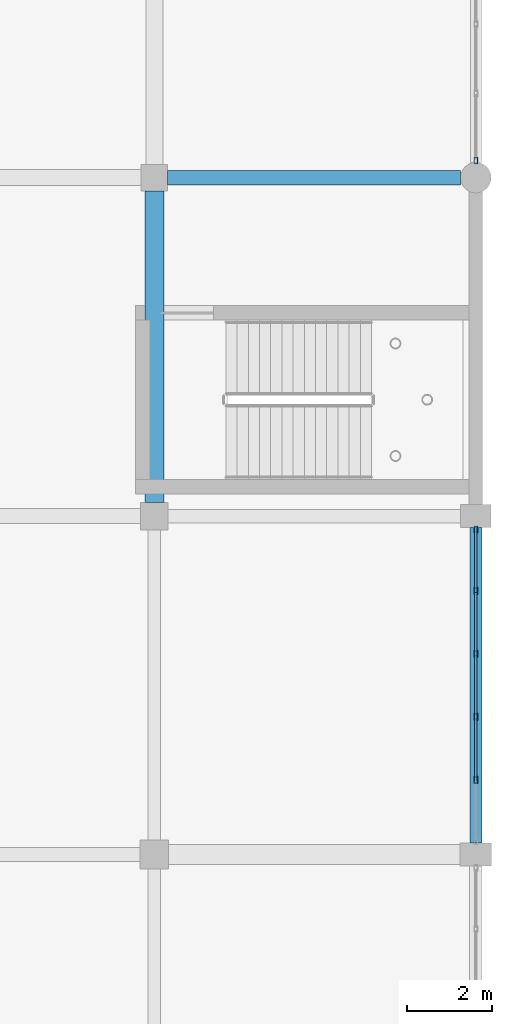
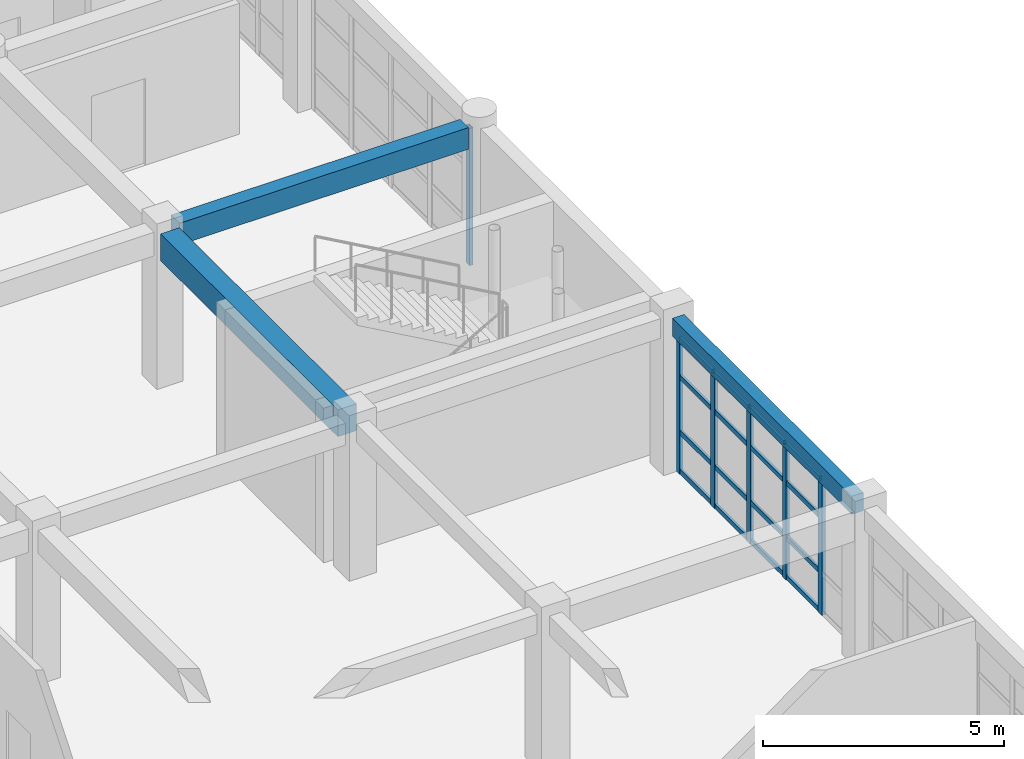
# One storey, part 131 of 195: 22 members, 3 beams, 2 elements without a shape of their own.
"""IFC4 building model written with IfcOpenShell, lengths in metres."""

from ifc_helpers import new_model, si_unit, direction, frame, origin, origin_2d, place, context, subcontext, project, spatial, rectangle, hollow_rectangle, extrude, material, material_profile, profile_set, type_object, element, aggregate, save


model = new_model("IFC4")

# Units and contexts
model_context = context("Model", 3, precision=1e-05, world=origin(), true_north=direction((0.0, 1.0)))
body_context = subcontext(model_context, "Body", "Model", "MODEL_VIEW")
ifc_project = project(units=[si_unit("LENGTHUNIT", "METRE"), si_unit("AREAUNIT", "SQUARE_METRE"), si_unit("VOLUMEUNIT", "CUBIC_METRE"), si_unit("PLANEANGLEUNIT", "RADIAN"), si_unit("MASSUNIT", "GRAM", prefix="KILO")], contexts=[model_context])

# Site, building, storey
site_placement = place(None, origin())
site = spatial("IfcSite", under=ifc_project, at=site_placement, CompositionType="ELEMENT")
building_placement = place(site_placement, origin())
building = spatial("IfcBuilding", under=site, at=building_placement, Name="Kharva Crest Polytechnic", CompositionType="ELEMENT")
storey_placement = place(building_placement, frame((0.0, 0.0, 9.0)))
storey = spatial("IfcBuildingStorey", under=building, at=storey_placement, Name="L02", CompositionType="ELEMENT", Elevation=9.0)

# Beams
ifc_material_1 = material(Name="Concrete C35/45", Category="concrete")
ifc_material_profile_1 = material_profile(ifc_material_1, rectangle(XDim=0.35009765625, YDim=0.550048828125, at=origin_2d()), Name="RECT 350 X 550")
ifc_profile_set_1 = profile_set([ifc_material_profile_1], Name="Concrete C35/45")
beam_type_1 = type_object("IfcBeamType", Name="BM-RC-350X550", PredefinedType="BEAM", material=ifc_profile_set_1)
beam_1_placement = place(storey_placement, frame((176.7099609375, 78.800048828125, 3.64501953125), z_axis=(1.0, 0.0, 0.0), x_axis=(0.0, 1.0, 0.0)))
element("IfcBeam", 1, at=beam_1_placement, inside=storey, type_object=beam_type_1, Name="L02 Beam L/23-24", PredefinedType="BEAM", context=body_context, shape_type="SweptSolid", body=[
    extrude(rectangle(XDim=0.35009765625, YDim=0.550048828125, at=origin_2d()), origin(), (0.0, 0.0, 1.0), 6.929931640625),
])
ifc_material_profile_2 = material_profile(ifc_material_1, rectangle(XDim=0.449951171875, YDim=0.679931640625, at=origin_2d()), Name="RECT 450 X 680")
ifc_profile_set_2 = profile_set([ifc_material_profile_2], Name="Concrete C35/45")
beam_type_2 = type_object("IfcBeamType", Name="BM-RC-450X680", PredefinedType="BEAM", material=ifc_profile_set_2)
beam_2_placement = place(storey_placement, frame((176.39990234375, 71.125, 3.580078125), z_axis=(0.0, 1.0, 0.0), x_axis=(-1.0, 0.0, 0.0)))
element("IfcBeam", 2, at=beam_2_placement, inside=storey, type_object=beam_type_2, Name="L02 Girder 23/K-L", PredefinedType="BEAM", context=body_context, shape_type="SweptSolid", body=[
    extrude(rectangle(XDim=0.449951171875, YDim=0.679931640625, at=origin_2d()), origin(), (0.0, 0.0, 1.0), 7.364990234375),
])

# Curtain wall, members
ifc_material_2 = material(Name="Tempered insulated glass", Category="glass")
curtain_wall_type = type_object("IfcCurtainWallType", Name="CW-SYS-COURT", PredefinedType="USERDEFINED", material=ifc_material_2)
curtain_wall_1_placement = place(storey_placement, origin())
curtain_wall_1 = element("IfcCurtainWall", 3, at=curtain_wall_1_placement, inside=storey, type_object=curtain_wall_type, Name="L02 Glazed Curtain Wall CW-106", ObjectType="CURTAIN WALL", PredefinedType="USERDEFINED")
ifc_material_3 = material(Name="Steel S355", Category="steel")
ifc_material_profile_3 = material_profile(ifc_material_3, hollow_rectangle(XDim=0.080078125, YDim=0.159912109375, WallThickness=0.0048828125, at=origin_2d()), Name="RHS 160X80X5.0")
ifc_profile_set_3 = profile_set([ifc_material_profile_3], Name="Steel S355")
member_type_1 = type_object("IfcMemberType", Name="CWM-RHS160X80", PredefinedType="MULLION", material=ifc_profile_set_3)
member_1_placement = place(storey_placement, frame((184.0, 64.568115234375, 0.0), z_axis=(0.0, 0.0, 1.0), x_axis=(-1.0, 0.0, 0.0)))
member_1 = element("IfcMember", 4, at=member_1_placement, type_object=member_type_1, Name="CW-106 mullion 2", PredefinedType="MULLION", context=body_context, shape_type="SweptSolid", body=[
    extrude(hollow_rectangle(XDim=0.080078125, YDim=0.159912109375, WallThickness=0.0048828125, at=origin_2d()), origin(), (0.0, 0.0, 1.0), 3.4599609375),
])
member_2_placement = place(storey_placement, frame((184.0, 66.055908203125, 0.0), z_axis=(0.0, 0.0, 1.0), x_axis=(-1.0, 0.0, 0.0)))
member_2 = element("IfcMember", 5, at=member_2_placement, type_object=member_type_1, Name="CW-106 mullion 3", PredefinedType="MULLION", context=body_context, shape_type="SweptSolid", body=[
    extrude(hollow_rectangle(XDim=0.080078125, YDim=0.159912109375, WallThickness=0.0048828125, at=origin_2d()), origin(), (0.0, 0.0, 1.0), 3.4599609375),
])
member_3_placement = place(storey_placement, frame((184.0, 67.5439453125, 0.0), z_axis=(0.0, 0.0, 1.0), x_axis=(-1.0, 0.0, 0.0)))
member_3 = element("IfcMember", 6, at=member_3_placement, type_object=member_type_1, Name="CW-106 mullion 4", PredefinedType="MULLION", context=body_context, shape_type="SweptSolid", body=[
    extrude(hollow_rectangle(XDim=0.080078125, YDim=0.159912109375, WallThickness=0.0048828125, at=origin_2d()), origin(), (0.0, 0.0, 1.0), 3.4599609375),
])
member_4_placement = place(storey_placement, frame((184.0, 69.031982421875, 0.0), z_axis=(0.0, 0.0, 1.0), x_axis=(-1.0, 0.0, 0.0)))
member_4 = element("IfcMember", 7, at=member_4_placement, type_object=member_type_1, Name="CW-106 mullion 5", PredefinedType="MULLION", context=body_context, shape_type="SweptSolid", body=[
    extrude(hollow_rectangle(XDim=0.080078125, YDim=0.159912109375, WallThickness=0.0048828125, at=origin_2d()), origin(), (0.0, 0.0, 1.0), 3.4599609375),
])
member_5_placement = place(storey_placement, frame((184.0, 70.47998046875, 0.0), z_axis=(0.0, 0.0, 1.0), x_axis=(-1.0, 0.0, 0.0)))
member_5 = element("IfcMember", 8, at=member_5_placement, type_object=member_type_1, Name="CW-106 mullion 6", PredefinedType="MULLION", context=body_context, shape_type="SweptSolid", body=[
    extrude(hollow_rectangle(XDim=0.080078125, YDim=0.159912109375, WallThickness=0.0048828125, at=origin_2d()), origin(), (0.0, 0.0, 1.0), 3.4599609375),
])

# Curtain wall, member
curtain_wall_2_placement = place(storey_placement, origin())
curtain_wall_2 = element("IfcCurtainWall", 9, at=curtain_wall_2_placement, inside=storey, type_object=curtain_wall_type, Name="L02 Glazed Curtain Wall CW-107", ObjectType="CURTAIN WALL", PredefinedType="USERDEFINED")
member_6_placement = place(storey_placement, frame((184.0, 79.205078125, 0.0), z_axis=(0.0, 0.0, 1.0), x_axis=(-1.0, 0.0, 0.0)))
member_6 = element("IfcMember", 10, at=member_6_placement, type_object=member_type_1, Name="CW-107 mullion 1", PredefinedType="MULLION", context=body_context, shape_type="SweptSolid", body=[
    extrude(hollow_rectangle(XDim=0.080078125, YDim=0.159912109375, WallThickness=0.0048828125, at=origin_2d()), origin(), (0.0, 0.0, 1.0), 3.47998046875),
])
aggregate(curtain_wall_2, [member_6])

# Member
ifc_material_profile_4 = material_profile(ifc_material_3, hollow_rectangle(XDim=0.06005859375, YDim=0.1201171875, WallThickness=0.00390625, at=origin_2d()), Name="RHS 120X60X4.0")
ifc_profile_set_4 = profile_set([ifc_material_profile_4], Name="Steel S355")
member_type_2 = type_object("IfcMemberType", Name="CWT-RHS120X60", PredefinedType="USERDEFINED", material=ifc_profile_set_4)
member_7_placement = place(storey_placement, frame((184.0, 64.60791015625, 0.06005859375), z_axis=(0.0, 1.0, 0.0), x_axis=(-1.0, 0.0, 0.0)))
member_7 = element("IfcMember", 11, at=member_7_placement, type_object=member_type_2, Name="CW-106 transom 2.1", ObjectType="TRANSOM", PredefinedType="USERDEFINED", context=body_context, shape_type="SweptSolid", body=[
    extrude(hollow_rectangle(XDim=0.06005859375, YDim=0.1201171875, WallThickness=0.00390625, at=origin_2d()), origin(), (0.0, 0.0, 1.0), 1.408203125),
])

member_8_placement = place(storey_placement, frame((184.0, 64.60791015625, 1.050048828125), z_axis=(0.0, 1.0, 0.0), x_axis=(-1.0, 0.0, 0.0)))
member_8 = element("IfcMember", 12, at=member_8_placement, type_object=member_type_2, Name="CW-106 transom 2.2", ObjectType="TRANSOM", PredefinedType="USERDEFINED", context=body_context, shape_type="SweptSolid", body=[
    extrude(hollow_rectangle(XDim=0.06005859375, YDim=0.1201171875, WallThickness=0.00390625, at=origin_2d()), origin(), (0.0, 0.0, 1.0), 1.408203125),
])

member_9_placement = place(storey_placement, frame((184.0, 64.60791015625, 2.449951171875), z_axis=(0.0, 1.0, 0.0), x_axis=(-1.0, 0.0, 0.0)))
member_9 = element("IfcMember", 13, at=member_9_placement, type_object=member_type_2, Name="CW-106 transom 2.3", ObjectType="TRANSOM", PredefinedType="USERDEFINED", context=body_context, shape_type="SweptSolid", body=[
    extrude(hollow_rectangle(XDim=0.06005859375, YDim=0.1201171875, WallThickness=0.00390625, at=origin_2d()), origin(), (0.0, 0.0, 1.0), 1.408203125),
])

member_10_placement = place(storey_placement, frame((184.0, 64.60791015625, 3.39990234375), z_axis=(0.0, 1.0, 0.0), x_axis=(-1.0, 0.0, 0.0)))
member_10 = element("IfcMember", 14, at=member_10_placement, type_object=member_type_2, Name="CW-106 transom 2.4", ObjectType="TRANSOM", PredefinedType="USERDEFINED", context=body_context, shape_type="SweptSolid", body=[
    extrude(hollow_rectangle(XDim=0.06005859375, YDim=0.1201171875, WallThickness=0.00390625, at=origin_2d()), origin(), (0.0, 0.0, 1.0), 1.408203125),
])

member_11_placement = place(storey_placement, frame((184.0, 66.095947265625, 0.06005859375), z_axis=(0.0, 1.0, 0.0), x_axis=(-1.0, 0.0, 0.0)))
member_11 = element("IfcMember", 15, at=member_11_placement, type_object=member_type_2, Name="CW-106 transom 3.1", ObjectType="TRANSOM", PredefinedType="USERDEFINED", context=body_context, shape_type="SweptSolid", body=[
    extrude(hollow_rectangle(XDim=0.06005859375, YDim=0.1201171875, WallThickness=0.00390625, at=origin_2d()), origin(), (0.0, 0.0, 1.0), 1.407958984375),
])

member_12_placement = place(storey_placement, frame((184.0, 66.095947265625, 1.050048828125), z_axis=(0.0, 1.0, 0.0), x_axis=(-1.0, 0.0, 0.0)))
member_12 = element("IfcMember", 16, at=member_12_placement, type_object=member_type_2, Name="CW-106 transom 3.2", ObjectType="TRANSOM", PredefinedType="USERDEFINED", context=body_context, shape_type="SweptSolid", body=[
    extrude(hollow_rectangle(XDim=0.06005859375, YDim=0.1201171875, WallThickness=0.00390625, at=origin_2d()), origin(), (0.0, 0.0, 1.0), 1.407958984375),
])

member_13_placement = place(storey_placement, frame((184.0, 66.095947265625, 2.449951171875), z_axis=(0.0, 1.0, 0.0), x_axis=(-1.0, 0.0, 0.0)))
member_13 = element("IfcMember", 17, at=member_13_placement, type_object=member_type_2, Name="CW-106 transom 3.3", ObjectType="TRANSOM", PredefinedType="USERDEFINED", context=body_context, shape_type="SweptSolid", body=[
    extrude(hollow_rectangle(XDim=0.06005859375, YDim=0.1201171875, WallThickness=0.00390625, at=origin_2d()), origin(), (0.0, 0.0, 1.0), 1.407958984375),
])

member_14_placement = place(storey_placement, frame((184.0, 66.095947265625, 3.39990234375), z_axis=(0.0, 1.0, 0.0), x_axis=(-1.0, 0.0, 0.0)))
member_14 = element("IfcMember", 18, at=member_14_placement, type_object=member_type_2, Name="CW-106 transom 3.4", ObjectType="TRANSOM", PredefinedType="USERDEFINED", context=body_context, shape_type="SweptSolid", body=[
    extrude(hollow_rectangle(XDim=0.06005859375, YDim=0.1201171875, WallThickness=0.00390625, at=origin_2d()), origin(), (0.0, 0.0, 1.0), 1.407958984375),
])

member_15_placement = place(storey_placement, frame((184.0, 67.583984375, 0.06005859375), z_axis=(0.0, 1.0, 0.0), x_axis=(-1.0, 0.0, 0.0)))
member_15 = element("IfcMember", 19, at=member_15_placement, type_object=member_type_2, Name="CW-106 transom 4.1", ObjectType="TRANSOM", PredefinedType="USERDEFINED", context=body_context, shape_type="SweptSolid", body=[
    extrude(hollow_rectangle(XDim=0.06005859375, YDim=0.1201171875, WallThickness=0.00390625, at=origin_2d()), origin(), (0.0, 0.0, 1.0), 1.407958984375),
])

member_16_placement = place(storey_placement, frame((184.0, 67.583984375, 1.050048828125), z_axis=(0.0, 1.0, 0.0), x_axis=(-1.0, 0.0, 0.0)))
member_16 = element("IfcMember", 20, at=member_16_placement, type_object=member_type_2, Name="CW-106 transom 4.2", ObjectType="TRANSOM", PredefinedType="USERDEFINED", context=body_context, shape_type="SweptSolid", body=[
    extrude(hollow_rectangle(XDim=0.06005859375, YDim=0.1201171875, WallThickness=0.00390625, at=origin_2d()), origin(), (0.0, 0.0, 1.0), 1.407958984375),
])

member_17_placement = place(storey_placement, frame((184.0, 67.583984375, 2.449951171875), z_axis=(0.0, 1.0, 0.0), x_axis=(-1.0, 0.0, 0.0)))
member_17 = element("IfcMember", 21, at=member_17_placement, type_object=member_type_2, Name="CW-106 transom 4.3", ObjectType="TRANSOM", PredefinedType="USERDEFINED", context=body_context, shape_type="SweptSolid", body=[
    extrude(hollow_rectangle(XDim=0.06005859375, YDim=0.1201171875, WallThickness=0.00390625, at=origin_2d()), origin(), (0.0, 0.0, 1.0), 1.407958984375),
])

member_18_placement = place(storey_placement, frame((184.0, 67.583984375, 3.39990234375), z_axis=(0.0, 1.0, 0.0), x_axis=(-1.0, 0.0, 0.0)))
member_18 = element("IfcMember", 22, at=member_18_placement, type_object=member_type_2, Name="CW-106 transom 4.4", ObjectType="TRANSOM", PredefinedType="USERDEFINED", context=body_context, shape_type="SweptSolid", body=[
    extrude(hollow_rectangle(XDim=0.06005859375, YDim=0.1201171875, WallThickness=0.00390625, at=origin_2d()), origin(), (0.0, 0.0, 1.0), 1.407958984375),
])

member_19_placement = place(storey_placement, frame((184.0, 69.072021484375, 0.06005859375), z_axis=(0.0, 1.0, 0.0), x_axis=(-1.0, 0.0, 0.0)))
member_19 = element("IfcMember", 23, at=member_19_placement, type_object=member_type_2, Name="CW-106 transom 5.1", ObjectType="TRANSOM", PredefinedType="USERDEFINED", context=body_context, shape_type="SweptSolid", body=[
    extrude(hollow_rectangle(XDim=0.06005859375, YDim=0.1201171875, WallThickness=0.00390625, at=origin_2d()), origin(), (0.0, 0.0, 1.0), 1.367919921875),
])

member_20_placement = place(storey_placement, frame((184.0, 69.072021484375, 1.050048828125), z_axis=(0.0, 1.0, 0.0), x_axis=(-1.0, 0.0, 0.0)))
member_20 = element("IfcMember", 24, at=member_20_placement, type_object=member_type_2, Name="CW-106 transom 5.2", ObjectType="TRANSOM", PredefinedType="USERDEFINED", context=body_context, shape_type="SweptSolid", body=[
    extrude(hollow_rectangle(XDim=0.06005859375, YDim=0.1201171875, WallThickness=0.00390625, at=origin_2d()), origin(), (0.0, 0.0, 1.0), 1.367919921875),
])

member_21_placement = place(storey_placement, frame((184.0, 69.072021484375, 2.449951171875), z_axis=(0.0, 1.0, 0.0), x_axis=(-1.0, 0.0, 0.0)))
member_21 = element("IfcMember", 25, at=member_21_placement, type_object=member_type_2, Name="CW-106 transom 5.3", ObjectType="TRANSOM", PredefinedType="USERDEFINED", context=body_context, shape_type="SweptSolid", body=[
    extrude(hollow_rectangle(XDim=0.06005859375, YDim=0.1201171875, WallThickness=0.00390625, at=origin_2d()), origin(), (0.0, 0.0, 1.0), 1.367919921875),
])

member_22_placement = place(storey_placement, frame((184.0, 69.072021484375, 3.39990234375), z_axis=(0.0, 1.0, 0.0), x_axis=(-1.0, 0.0, 0.0)))
member_22 = element("IfcMember", 26, at=member_22_placement, type_object=member_type_2, Name="CW-106 transom 5.4", ObjectType="TRANSOM", PredefinedType="USERDEFINED", context=body_context, shape_type="SweptSolid", body=[
    extrude(hollow_rectangle(XDim=0.06005859375, YDim=0.1201171875, WallThickness=0.00390625, at=origin_2d()), origin(), (0.0, 0.0, 1.0), 1.367919921875),
])

aggregate(curtain_wall_1, [member_1, member_2, member_3, member_4, member_5, member_7, member_8, member_9, member_10, member_11, member_12, member_13, member_14, member_15, member_16, member_17, member_18, member_19, member_20, member_21, member_22])

# Beam
ifc_material_profile_5 = material_profile(ifc_material_1, rectangle(XDim=0.280029296875, YDim=0.4599609375, at=origin_2d()), Name="RECT 280 X 460")
ifc_profile_set_5 = profile_set([ifc_material_profile_5], Name="Concrete C35/45")
beam_type_3 = type_object("IfcBeamType", Name="SP-RC-280X460", PredefinedType="SPANDREL", material=ifc_profile_set_5)
beam_3_placement = place(storey_placement, frame((184.0, 63.074951171875, 3.68994140625), z_axis=(0.0, 1.0, 0.0), x_axis=(-1.0, 0.0, 0.0)))
element("IfcBeam", 27, at=beam_3_placement, inside=storey, type_object=beam_type_3, Name="L02 Girder 24/J-K", PredefinedType="SPANDREL", context=body_context, shape_type="SweptSolid", body=[
    extrude(rectangle(XDim=0.280029296875, YDim=0.4599609375, at=origin_2d()), origin(), (0.0, 0.0, 1.0), 7.449951171875),
])

save(model, "model.ifc")
